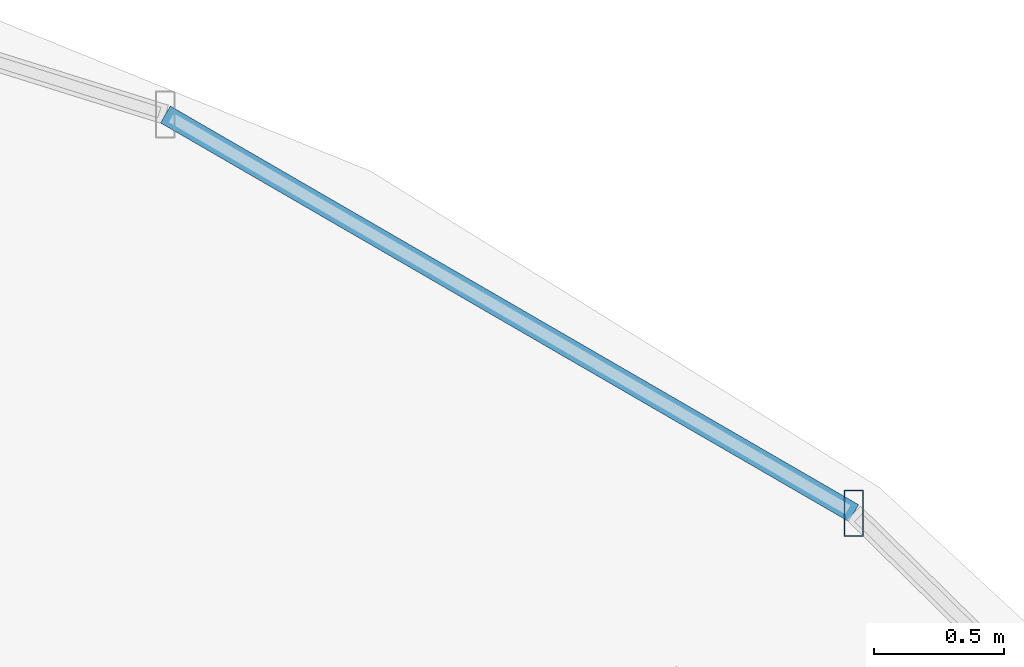
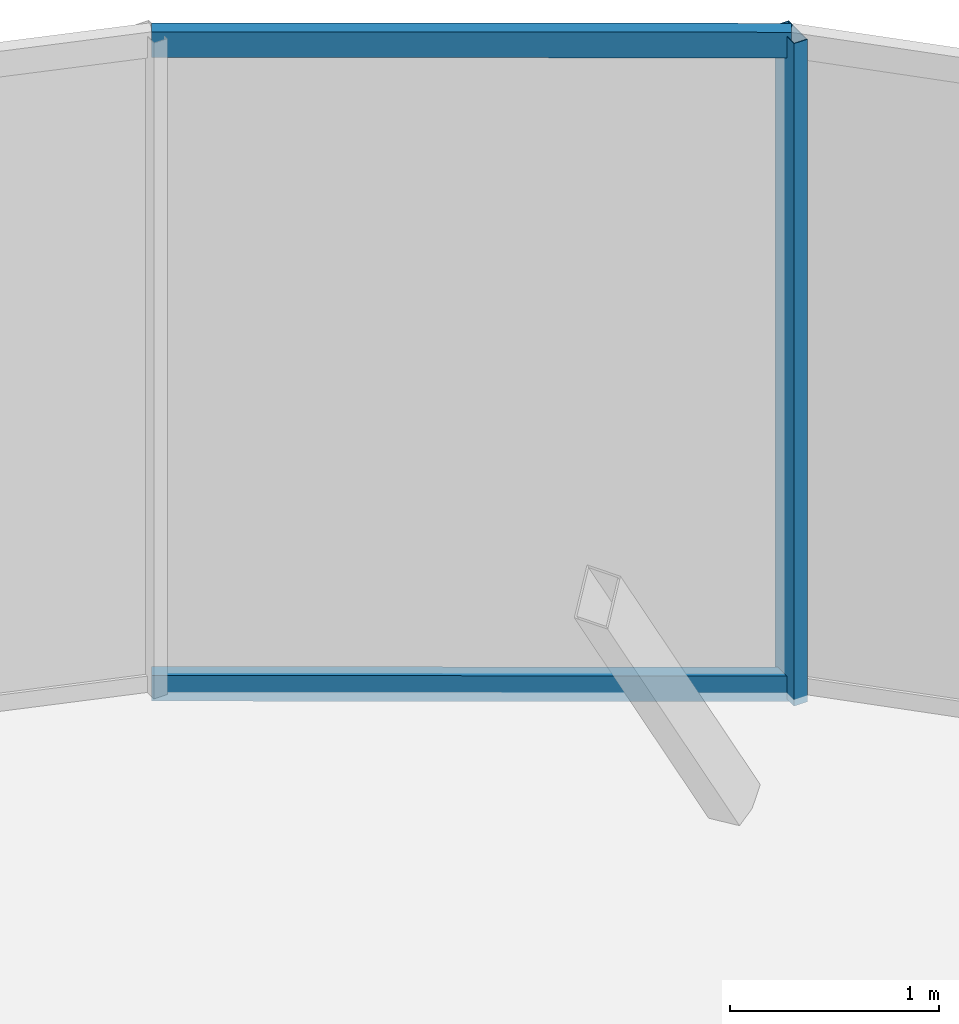
# One storey, part 9 of 10: 3 members, 1 element without a shape of its own.
"""IFC4 building model written with IfcOpenShell, lengths in metres."""

import ifcopenshell
import ifcopenshell.guid

model = None  # the IFC model being written
_history = None  # IfcOwnerHistory: only IFC2X3 demands one
_inside = {}  # id of a spatial element -> (the spatial element, [elements in it])
_under = {}  # id of a project, library or spatial element -> (it, [spatial elements below it])
_declared = {}  # id of a project -> (the project, [libraries it declares])
_typed = {}  # id of a type object -> (the type object, [elements of that type])
_made_of = {}  # id of a material, layer set ... -> (it, [elements and type objects made of it])


def new_model(schema):
    """Start an empty IFC model of exactly this schema.

    Asked for "IFC4X3", IfcOpenShell would pick the latest addendum, in which some entities
    have other attributes; the version numbers below select the first issue.
    IFC2X3 requires an IfcOwnerHistory on every rooted entity: one is made here for all.
    """
    global model, _history
    if schema == "IFC4X3":
        model = ifcopenshell.file(schema_version=(4, 3, 0, 0))
    else:
        model = ifcopenshell.file(schema=schema)
    _inside.clear()
    _under.clear()
    _declared.clear()
    _typed.clear()
    _made_of.clear()
    _history = None
    if model.schema == "IFC2X3":
        org = make("IfcOrganization", Name="unknown")
        user = make(
            "IfcPersonAndOrganization",
            ThePerson=make("IfcPerson", FamilyName="unknown"),
            TheOrganization=org,
        )
        app = make(
            "IfcApplication",
            ApplicationDeveloper=org,
            Version="unknown",
            ApplicationFullName="unknown",
            ApplicationIdentifier="unknown",
        )
        _history = make(
            "IfcOwnerHistory",
            OwningUser=user,
            OwningApplication=app,
            ChangeAction="ADDED",
            CreationDate=0,
        )
    return model


def make(cls, **values):
    """One entity of the class cls with the attributes given. An attribute that is None is left unset."""
    return model.create_entity(
        cls, **{name: value for name, value in values.items() if value is not None}
    )


def rooted(cls, **values):
    """An entity with a GlobalId (a new one), such as an element, a storey or a relation."""
    return make(cls, GlobalId=ifcopenshell.guid.new(), OwnerHistory=_history, **values)


def si_unit(unit_type, name, prefix=None):
    """IfcSIUnit, for example si_unit("LENGTHUNIT", "METRE", prefix="MILLI")."""
    return make("IfcSIUnit", UnitType=unit_type, Prefix=prefix, Name=name)


def assignment(units):
    """IfcUnitAssignment: the units of a project."""
    return None if units is None else make("IfcUnitAssignment", Units=units)


def point(xyz):
    """IfcCartesianPoint."""
    return None if xyz is None else make("IfcCartesianPoint", Coordinates=xyz)


def direction(xyz):
    """IfcDirection."""
    return None if xyz is None else make("IfcDirection", DirectionRatios=xyz)


def frame(location, z_axis=None, x_axis=None):
    """IfcAxis2Placement3D, a coordinate frame: its origin and axes. An axis left out is left unset."""
    return make(
        "IfcAxis2Placement3D",
        Location=point(location),
        Axis=direction(z_axis),
        RefDirection=direction(x_axis),
    )


def frame_2d(location, x_axis=None):
    """IfcAxis2Placement2D, a coordinate frame in the plane: its origin and x axis."""
    return make(
        "IfcAxis2Placement2D", Location=point(location), RefDirection=direction(x_axis)
    )


def origin():
    """The frame at (0, 0, 0) with its axes left unset."""
    return frame((0.0, 0.0, 0.0))


def origin_2d():
    """The frame at (0, 0) in the plane with its x axis left unset."""
    return frame_2d((0.0, 0.0))


def place(relative_to, where):
    """IfcLocalPlacement: puts the frame where relative to a parent placement (None: the world)."""
    return make(
        "IfcLocalPlacement", PlacementRelTo=relative_to, RelativePlacement=where
    )


def context(
    kind, dimensions, precision=None, world=None, true_north=None, identifier=None
):
    """IfcGeometricRepresentationContext, for example the 3D "Model" context."""
    return make(
        "IfcGeometricRepresentationContext",
        ContextIdentifier=identifier,
        ContextType=kind,
        CoordinateSpaceDimension=dimensions,
        Precision=precision,
        WorldCoordinateSystem=world,
        TrueNorth=true_north,
    )


def subcontext(parent, identifier, kind, view, scale=None):
    """IfcGeometricRepresentationSubContext, for example "Body" below "Model"."""
    return make(
        "IfcGeometricRepresentationSubContext",
        ContextIdentifier=identifier,
        ContextType=kind,
        ParentContext=parent,
        TargetScale=scale,
        TargetView=view,
    )


def project(units=None, contexts=None):
    """IfcProject with its units and contexts."""
    return rooted(
        "IfcProject",
        Name="project",
        RepresentationContexts=contexts,
        UnitsInContext=assignment(units),
    )


def spatial(cls, under=None, at=None, **own):
    """A site, building, storey or space (cls), placed at a placement, below another one or the project."""
    s = rooted(cls, ObjectPlacement=at, **own)
    if under is not None:
        _under.setdefault(under.id(), (under, []))[1].append(s)
    return s


def profile(cls, at=None, kind="AREA", **sizes):
    """A parametric profile (cls). Its sizes go by their IFC names, for example OverallWidth=200.0."""
    return make(cls, ProfileType=kind, Position=at, **sizes)


def hollow_rectangle(**sizes):
    """IfcRectangleHollowProfileDef."""
    return profile("IfcRectangleHollowProfileDef", **sizes)


def extrude(swept, where, along, depth):
    """IfcExtrudedAreaSolid: the profile swept, set in the frame where, extruded along a direction by depth."""
    return make(
        "IfcExtrudedAreaSolid",
        SweptArea=swept,
        Position=where,
        ExtrudedDirection=direction(along),
        Depth=depth,
    )


def shape(context_of_items, identifier, shape_type, items):
    """IfcShapeRepresentation: the items that make up one representation, for example the "Body"."""
    return make(
        "IfcShapeRepresentation",
        ContextOfItems=context_of_items,
        RepresentationIdentifier=identifier,
        RepresentationType=shape_type,
        Items=items,
    )


def material(Name=None, Category=None):
    """IfcMaterial."""
    return make("IfcMaterial", Name=Name, Category=Category)


def material_profile(
    of_material, cross_section, Name=None, Category=None, Priority=None
):
    """IfcMaterialProfile: a cross section and its material."""
    return make(
        "IfcMaterialProfile",
        Name=Name,
        Material=of_material,
        Profile=cross_section,
        Priority=Priority,
        Category=Category,
    )


def profile_set(profiles, Name=None, composite=None):
    """IfcMaterialProfileSet."""
    return make(
        "IfcMaterialProfileSet",
        Name=Name,
        MaterialProfiles=profiles,
        CompositeProfile=composite,
    )


def made_of(thing, what):
    """Note that an element or type object is made of a material, layer set ...; save() writes the relation."""
    if what is not None:
        _made_of.setdefault(what.id(), (what, []))[1].append(thing)
    return thing


def type_object(cls, material=None, **own):
    """A type object (cls), such as IfcWallType, which elements share."""
    return made_of(rooted(cls, **own), material)


def element(
    cls,
    number,
    at=None,
    inside=None,
    cuts=None,
    type_object=None,
    material=None,
    context=None,
    identifier="Body",
    shape_type=None,
    held_by="IfcProductDefinitionShape",
    body=None,
    shapes=None,
    **own,
):
    """One element of the class cls, such as IfcWall. Its Tag is "e" and its number.

    at: its placement. inside: the storey or other place that contains it. cuts: it is an
    opening in that element (IfcRelVoidsElement). A single representation is given by context,
    identifier, shape_type and body (its items); several are given by shapes. held_by: the class
    of the entity that holds the representations. save() writes the other relations.
    """
    e = rooted(cls, Tag="e%d" % number, ObjectPlacement=at, **own)
    if body is not None:
        shapes = [shape(context, identifier, shape_type, body)]
    if shapes is not None:
        e.Representation = make(held_by, Representations=shapes)
    if inside is not None:
        _inside.setdefault(inside.id(), (inside, []))[1].append(e)
    if cuts is not None:
        rooted(
            "IfcRelVoidsElement", RelatingBuildingElement=cuts, RelatedOpeningElement=e
        )
    if type_object is not None:
        _typed.setdefault(type_object.id(), (type_object, []))[1].append(e)
    return made_of(e, material)


def aggregate(whole, parts):
    """IfcRelAggregates: a whole, such as a stair, and the parts it consists of."""
    return rooted("IfcRelAggregates", RelatingObject=whole, RelatedObjects=parts)


def save(model, path):
    """Write the relations noted so far, then the file.

    IfcRelAggregates (storeys below a building ...), IfcRelContainedInSpatialStructure (elements
    in a storey), IfcRelDefinesByType, IfcRelAssociatesMaterial and IfcRelDeclares: one each for
    every whole, place, type object, material and project.
    """
    for whole, parts in _under.values():
        aggregate(whole, parts)
    for where, things in _inside.values():
        rooted(
            "IfcRelContainedInSpatialStructure",
            RelatedElements=things,
            RelatingStructure=where,
        )
    for kind, things in _typed.values():
        rooted("IfcRelDefinesByType", RelatedObjects=things, RelatingType=kind)
    for what, things in _made_of.values():
        rooted("IfcRelAssociatesMaterial", RelatedObjects=things, RelatingMaterial=what)
    for by, libraries in _declared.values():
        rooted("IfcRelDeclares", RelatingContext=by, RelatedDefinitions=libraries)
    model.write(path)


model = new_model("IFC4")

# Units and contexts
model_context = context("Model", 3, precision=1e-05, world=origin(), true_north=direction((0.0, 1.0)))
body_context = subcontext(model_context, "Body", "Model", "MODEL_VIEW")
ifc_project = project(units=[si_unit("LENGTHUNIT", "METRE"), si_unit("AREAUNIT", "SQUARE_METRE"), si_unit("VOLUMEUNIT", "CUBIC_METRE"), si_unit("PLANEANGLEUNIT", "RADIAN"), si_unit("MASSUNIT", "GRAM", prefix="KILO")], contexts=[model_context])

# Site, building, storey
site_placement = place(None, origin())
site = spatial("IfcSite", under=ifc_project, at=site_placement, CompositionType="ELEMENT")
building_placement = place(site_placement, origin())
building = spatial("IfcBuilding", under=site, at=building_placement, Name="Vorneva Point Tower", CompositionType="ELEMENT")
storey_placement = place(building_placement, frame((0.0, 0.0, 306.800048828125)))
storey = spatial("IfcBuildingStorey", under=building, at=storey_placement, Name="C04", CompositionType="ELEMENT", Elevation=306.800048828125)

# Curtain wall, members
ifc_material = material(Name="Pale anodised aluminium", Category="aluminium")
curtain_wall_type = type_object("IfcCurtainWallType", Name="CW-CRN-SYS", PredefinedType="NOTDEFINED", material=ifc_material)
curtain_wall_placement = place(storey_placement, origin())
curtain_wall = element("IfcCurtainWall", 1, at=curtain_wall_placement, inside=storey, type_object=curtain_wall_type, Name="C04 Unitised Curtain Wall CW-C04-Q1", PredefinedType="NOTDEFINED")
ifc_material_profile_1 = material_profile(ifc_material, hollow_rectangle(XDim=0.074951171875, YDim=0.179931640625, WallThickness=0.00390625, at=origin_2d()), Name="AL-MUL 180x75x4")
ifc_profile_set_1 = profile_set([ifc_material_profile_1], Name="Pale anodised aluminium")
member_type_1 = type_object("IfcMemberType", Name="CW-MUL-180", PredefinedType="MULLION", material=ifc_profile_set_1)
member_1_placement = place(storey_placement, frame((47.048095703125, 32.830810546875, -0.0400390625), z_axis=(0.0, 0.0, 1.0), x_axis=(1.0, 0.0, 0.0)))
member_1 = element("IfcMember", 2, at=member_1_placement, type_object=member_type_1, Name="CW-C04-Q1 Mullion 04", PredefinedType="MULLION", context=body_context, shape_type="SweptSolid", body=[
    extrude(hollow_rectangle(XDim=0.074951171875, YDim=0.179931640625, WallThickness=0.00390625, at=origin_2d()), origin(), (0.0, 0.0, 1.0), 3.869873046875),
])
ifc_material_profile_2 = material_profile(ifc_material, hollow_rectangle(XDim=0.074951171875, YDim=0.14990234375, WallThickness=0.00390625, at=origin_2d()), Name="AL-TRN 150x75x4")
ifc_profile_set_2 = profile_set([ifc_material_profile_2], Name="Pale anodised aluminium")
member_type_2 = type_object("IfcMemberType", Name="CW-TRN-150", PredefinedType="USERDEFINED", material=ifc_profile_set_2)
member_2_placement = place(storey_placement, frame((47.048095703125, 32.830810546875, 0.02001953125), z_axis=(-0.865338946389, 0.501187098659, 0.0), x_axis=(-0.501187098659, -0.865338946389, 0.0)))
member_2 = element("IfcMember", 3, at=member_2_placement, type_object=member_type_2, Name="CW-C04-Q1 Transom 04.1", ObjectType="TRANSOM", PredefinedType="USERDEFINED", context=body_context, shape_type="SweptSolid", body=[
    extrude(hollow_rectangle(XDim=0.074951171875, YDim=0.14990234375, WallThickness=0.00390625, at=origin_2d()), origin(), (0.0, 0.0, 1.0), 3.0625),
])
member_3_placement = place(storey_placement, frame((47.048095703125, 32.830810546875, 3.780029296875), z_axis=(-0.865338946389, 0.501187098659, 0.0), x_axis=(-0.501187098659, -0.865338946389, 0.0)))
member_3 = element("IfcMember", 4, at=member_3_placement, type_object=member_type_2, Name="CW-C04-Q1 Transom 04.2", ObjectType="TRANSOM", PredefinedType="USERDEFINED", context=body_context, shape_type="SweptSolid", body=[
    extrude(hollow_rectangle(XDim=0.074951171875, YDim=0.14990234375, WallThickness=0.00390625, at=origin_2d()), origin(), (0.0, 0.0, 1.0), 3.0625),
])
aggregate(curtain_wall, [member_1, member_2, member_3])

save(model, "model.ifc")
